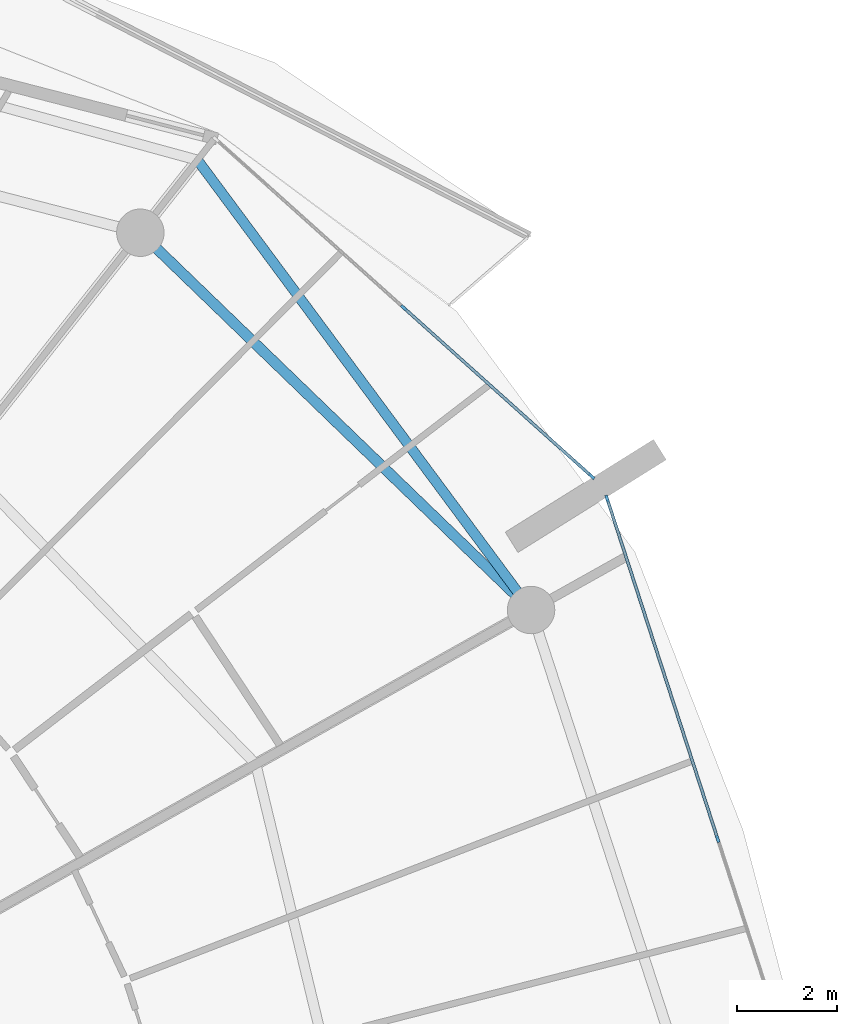
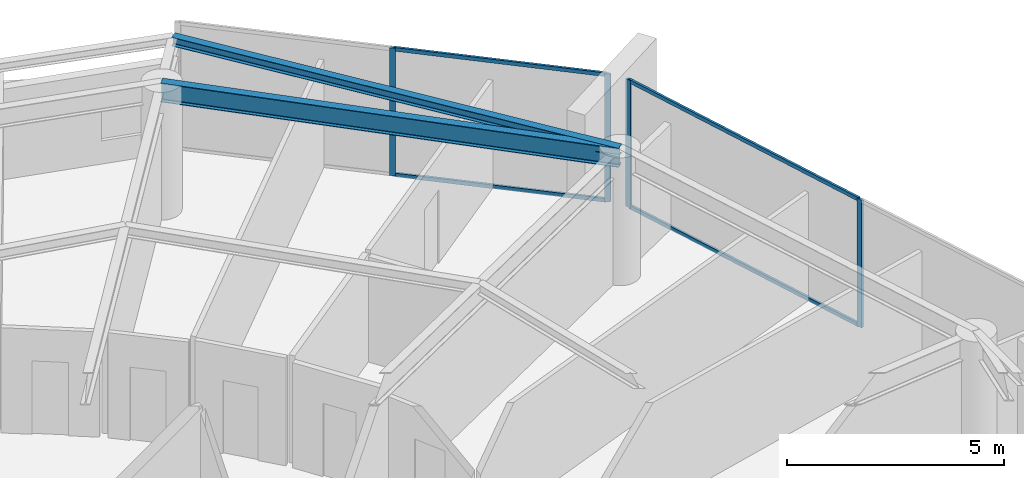
# One storey, part 16 of 31: 8 members, 2 beams, 2 elements without a shape of their own.
"""IFC4 building model written with IfcOpenShell, lengths in metres."""

from ifc_helpers import new_model, si_unit, direction, frame, origin, origin_2d, place, context, subcontext, project, spatial, rectangle, i_section, extrude, material, layer, layer_set, material_profile, profile_set, type_object, element, aggregate, save


model = new_model("IFC4")

# Units and contexts
model_context = context("Model", 3, precision=1e-05, world=origin(), true_north=direction((0.0, 1.0)))
body_context = subcontext(model_context, "Body", "Model", "MODEL_VIEW")
ifc_project = project(units=[si_unit("LENGTHUNIT", "METRE"), si_unit("AREAUNIT", "SQUARE_METRE"), si_unit("VOLUMEUNIT", "CUBIC_METRE"), si_unit("PLANEANGLEUNIT", "RADIAN"), si_unit("MASSUNIT", "GRAM", prefix="KILO")], contexts=[model_context])

# Site, building, storey
site_placement = place(None, origin())
site = spatial("IfcSite", under=ifc_project, at=site_placement, CompositionType="ELEMENT")
building_placement = place(site_placement, origin())
building = spatial("IfcBuilding", under=site, at=building_placement, Name="Kazma Halo Residences", CompositionType="ELEMENT")
storey_placement = place(building_placement, frame((0.0, 0.0, 240.550048828125)))
storey = spatial("IfcBuildingStorey", under=building, at=storey_placement, Name="L60", CompositionType="ELEMENT", Elevation=240.550048828125)

# Beams
ifc_material_1 = material(Name="Steel S355", Category="steel")
ifc_material_profile_1 = material_profile(ifc_material_1, i_section(OverallWidth=0.201904296875, OverallDepth=0.2470703125, WebThickness=0.00732421875, FlangeThickness=0.010986328125, FilletRadius=0.011962890625, at=origin_2d()), Name="W250x49.1")
ifc_profile_set_1 = profile_set([ifc_material_profile_1], Name="Steel S355")
beam_type_1 = type_object("IfcBeamType", Name="BM-BAL-CANT", PredefinedType="BEAM", material=ifc_profile_set_1)
beam_1_placement = place(storey_placement, frame((72.67041015625, 55.81591796875, 3.466552734375), z_axis=(-0.595556062515, 0.803313747176, 0.0), x_axis=(-0.803313747176, -0.595556062515, 0.0)))
element("IfcBeam", 1, at=beam_1_placement, inside=storey, type_object=beam_type_1, Name="L60 wave-balcony lead tie beam 01", PredefinedType="BEAM", context=body_context, shape_type="SweptSolid", body=[
    extrude(i_section(OverallWidth=0.201904296875, OverallDepth=0.2470703125, WebThickness=0.00732421875, FlangeThickness=0.010986328125, FilletRadius=0.011962890625, at=origin_2d()), origin(), (0.0, 0.0, 1.0), 11.213134765625),
])
ifc_material_profile_2 = material_profile(ifc_material_1, i_section(OverallWidth=0.208984375, OverallDepth=0.532958984375, WebThickness=0.01025390625, FlangeThickness=0.015625, FilletRadius=0.01611328125, at=origin_2d()), Name="W530x92")
ifc_profile_set_2 = profile_set([ifc_material_profile_2], Name="Steel S355")
beam_type_2 = type_object("IfcBeamType", Name="BM-SPN-W530", PredefinedType="BEAM", material=ifc_profile_set_2)
beam_2_placement = place(storey_placement, frame((72.67041015625, 55.81591796875, 3.323486328125), z_axis=(-0.719345757929, 0.694652201141, 0.0), x_axis=(-0.694652201141, -0.719345757929, 0.0)))
element("IfcBeam", 2, at=beam_2_placement, inside=storey, type_object=beam_type_2, Name="L60 perimeter ring beam 01", PredefinedType="BEAM", context=body_context, shape_type="SweptSolid", body=[
    extrude(i_section(OverallWidth=0.208984375, OverallDepth=0.532958984375, WebThickness=0.01025390625, FlangeThickness=0.015625, FilletRadius=0.01611328125, at=origin_2d()), origin(), (0.0, 0.0, 1.0), 10.87548828125),
])

# Curtain wall, members
ifc_material_2 = material(Name="Aluminium AW-6063 T6 and Triple-Silver Low-E Glass", Category="aluminium")
ifc_layer = layer(ifc_material_2, 0.139892578125)
ifc_layer_set = layer_set([ifc_layer], Name="Aluminium AW-6063 T6 and Triple-Silver Low-E Glass")
curtain_wall_type = type_object("IfcCurtainWallType", Name="CW-SYS-5", PredefinedType="NOTDEFINED", material=ifc_layer_set)
curtain_wall_1_placement = place(storey_placement, origin())
curtain_wall_1 = element("IfcCurtainWall", 3, at=curtain_wall_1_placement, inside=storey, type_object=curtain_wall_type, Name="L60 unitised curtain wall B01", PredefinedType="NOTDEFINED")
ifc_material_3 = material(Name="Aluminium AW-6063 T6", Category="aluminium")
ifc_material_profile_3 = material_profile(ifc_material_3, rectangle(XDim=0.06005859375, YDim=0.139892578125, at=origin_2d()), Name="CWM-60x140")
ifc_profile_set_3 = profile_set([ifc_material_profile_3], Name="Aluminium AW-6063 T6")
member_type_1 = type_object("IfcMemberType", Name="CW-SYS-5-MUL", PredefinedType="MULLION", material=ifc_profile_set_3)
member_1_placement = place(storey_placement, frame((73.88330078125, 58.491943359375, 0.0), z_axis=(0.0, 0.0, 1.0), x_axis=(-0.667804826958, -0.744336424671, 0.0)))
member_1 = element("IfcMember", 4, at=member_1_placement, type_object=member_type_1, Name="CWS-5 mullion 1", PredefinedType="MULLION", context=body_context, shape_type="SweptSolid", body=[
    extrude(rectangle(XDim=0.06005859375, YDim=0.139892578125, at=origin_2d()), origin(), (0.0, 0.0, 1.0), 3.58984375),
])
member_2_placement = place(storey_placement, frame((70.121826171875, 61.86669921875, 0.0), z_axis=(0.0, 0.0, 1.0), x_axis=(-0.667804826958, -0.744336424671, 0.0)))
member_2 = element("IfcMember", 5, at=member_2_placement, type_object=member_type_1, Name="CWS-5 mullion 2", PredefinedType="MULLION", context=body_context, shape_type="SweptSolid", body=[
    extrude(rectangle(XDim=0.06005859375, YDim=0.139892578125, at=origin_2d()), origin(), (0.0, 0.0, 1.0), 3.58984375),
])

curtain_wall_2_placement = place(storey_placement, origin())
curtain_wall_2 = element("IfcCurtainWall", 6, at=curtain_wall_2_placement, inside=storey, type_object=curtain_wall_type, Name="L60 unitised curtain wall B16", PredefinedType="NOTDEFINED")
member_3_placement = place(storey_placement, frame((76.40771484375, 51.230224609375, 0.0), z_axis=(0.0, 0.0, 1.0), x_axis=(-0.951058464359, -0.309010998786, 0.0)))
member_3 = element("IfcMember", 7, at=member_3_placement, type_object=member_type_1, Name="CWS-5 mullion 2", PredefinedType="MULLION", context=body_context, shape_type="SweptSolid", body=[
    extrude(rectangle(XDim=0.06005859375, YDim=0.139892578125, at=origin_2d()), origin(), (0.0, 0.0, 1.0), 3.58984375),
])
member_4_placement = place(storey_placement, frame((74.1923828125, 58.0478515625, 0.0), z_axis=(0.0, 0.0, 1.0), x_axis=(-0.951058464359, -0.309010998786, 0.0)))
member_4 = element("IfcMember", 8, at=member_4_placement, type_object=member_type_1, Name="CWS-5 mullion 3", PredefinedType="MULLION", context=body_context, shape_type="SweptSolid", body=[
    extrude(rectangle(XDim=0.06005859375, YDim=0.139892578125, at=origin_2d()), origin(), (0.0, 0.0, 1.0), 3.58984375),
])

# Member
ifc_material_profile_4 = material_profile(ifc_material_3, rectangle(XDim=0.06005859375, YDim=0.10498046875, at=origin_2d()), Name="CWT-60x105")
ifc_profile_set_4 = profile_set([ifc_material_profile_4], Name="Aluminium AW-6063 T6")
member_type_2 = type_object("IfcMemberType", Name="CW-SYS-5-TRN", PredefinedType="USERDEFINED", material=ifc_profile_set_4)
member_5_placement = place(storey_placement, frame((73.861083984375, 58.511962890625, 0.030029296875), z_axis=(-0.744328897483, 0.667813216679, 0.0), x_axis=(-0.667813216679, -0.744328897483, 0.0)))
member_5 = element("IfcMember", 9, at=member_5_placement, type_object=member_type_2, Name="CWS-5 transom 1.1", ObjectType="TRANSOM", PredefinedType="USERDEFINED", context=body_context, shape_type="SweptSolid", body=[
    extrude(rectangle(XDim=0.06005859375, YDim=0.10498046875, at=origin_2d()), origin(), (0.0, 0.0, 1.0), 4.993408203125),
])

member_6_placement = place(storey_placement, frame((73.861083984375, 58.511962890625, 3.56005859375), z_axis=(-0.744328897483, 0.667813216679, 0.0), x_axis=(-0.667813216679, -0.744328897483, 0.0)))
member_6 = element("IfcMember", 10, at=member_6_placement, type_object=member_type_2, Name="CWS-5 transom 1.2", ObjectType="TRANSOM", PredefinedType="USERDEFINED", context=body_context, shape_type="SweptSolid", body=[
    extrude(rectangle(XDim=0.06005859375, YDim=0.10498046875, at=origin_2d()), origin(), (0.0, 0.0, 1.0), 4.993408203125),
])

aggregate(curtain_wall_1, [member_1, member_2, member_5, member_6])

member_7_placement = place(storey_placement, frame((76.3984375, 51.2587890625, 0.030029296875), z_axis=(-0.309027052142, 0.95105324827, 0.0), x_axis=(-0.95105324827, -0.309027052142, 0.0)))
member_7 = element("IfcMember", 11, at=member_7_placement, type_object=member_type_2, Name="CWS-5 transom 2.1", ObjectType="TRANSOM", PredefinedType="USERDEFINED", context=body_context, shape_type="SweptSolid", body=[
    extrude(rectangle(XDim=0.06005859375, YDim=0.10498046875, at=origin_2d()), origin(), (0.0, 0.0, 1.0), 7.108642578125),
])

member_8_placement = place(storey_placement, frame((76.3984375, 51.2587890625, 3.56005859375), z_axis=(-0.309027052142, 0.95105324827, 0.0), x_axis=(-0.95105324827, -0.309027052142, 0.0)))
member_8 = element("IfcMember", 12, at=member_8_placement, type_object=member_type_2, Name="CWS-5 transom 2.2", ObjectType="TRANSOM", PredefinedType="USERDEFINED", context=body_context, shape_type="SweptSolid", body=[
    extrude(rectangle(XDim=0.06005859375, YDim=0.10498046875, at=origin_2d()), origin(), (0.0, 0.0, 1.0), 7.108642578125),
])

aggregate(curtain_wall_2, [member_3, member_4, member_7, member_8])

save(model, "model.ifc")
